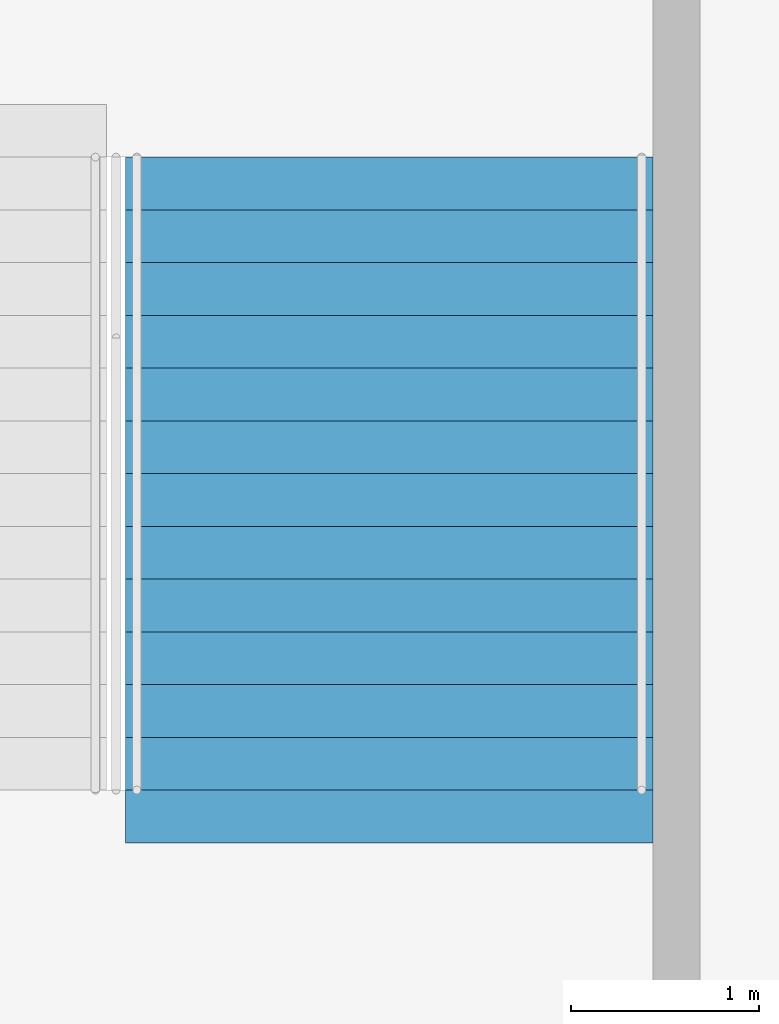
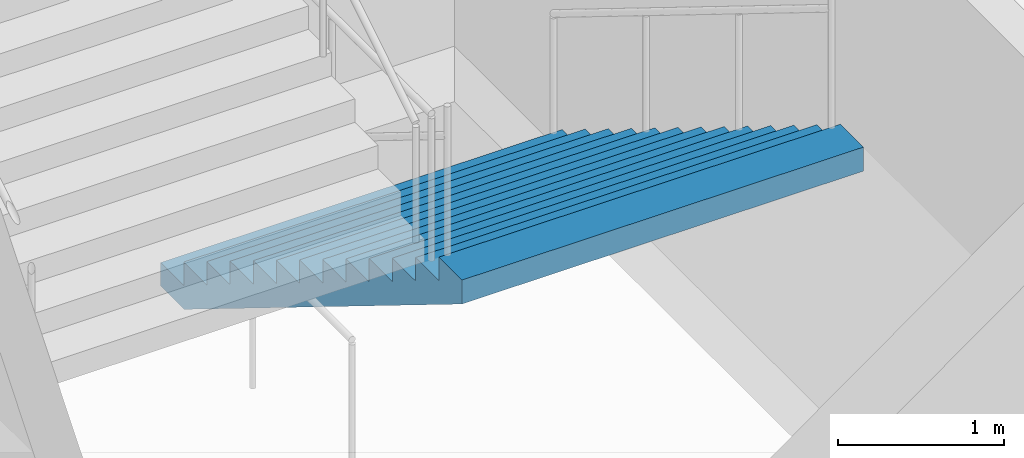
# One storey, part 116 of 199: 1 stair flight, 1 element without a shape of its own.
"""IFC4 building model written with IfcOpenShell, lengths in metres."""

import ifcopenshell
import ifcopenshell.guid

model = None  # the IFC model being written
_history = None  # IfcOwnerHistory: only IFC2X3 demands one
_inside = {}  # id of a spatial element -> (the spatial element, [elements in it])
_under = {}  # id of a project, library or spatial element -> (it, [spatial elements below it])
_declared = {}  # id of a project -> (the project, [libraries it declares])
_typed = {}  # id of a type object -> (the type object, [elements of that type])
_made_of = {}  # id of a material, layer set ... -> (it, [elements and type objects made of it])


def new_model(schema):
    """Start an empty IFC model of exactly this schema.

    Asked for "IFC4X3", IfcOpenShell would pick the latest addendum, in which some entities
    have other attributes; the version numbers below select the first issue.
    IFC2X3 requires an IfcOwnerHistory on every rooted entity: one is made here for all.
    """
    global model, _history
    if schema == "IFC4X3":
        model = ifcopenshell.file(schema_version=(4, 3, 0, 0))
    else:
        model = ifcopenshell.file(schema=schema)
    _inside.clear()
    _under.clear()
    _declared.clear()
    _typed.clear()
    _made_of.clear()
    _history = None
    if model.schema == "IFC2X3":
        org = make("IfcOrganization", Name="unknown")
        user = make(
            "IfcPersonAndOrganization",
            ThePerson=make("IfcPerson", FamilyName="unknown"),
            TheOrganization=org,
        )
        app = make(
            "IfcApplication",
            ApplicationDeveloper=org,
            Version="unknown",
            ApplicationFullName="unknown",
            ApplicationIdentifier="unknown",
        )
        _history = make(
            "IfcOwnerHistory",
            OwningUser=user,
            OwningApplication=app,
            ChangeAction="ADDED",
            CreationDate=0,
        )
    return model


def make(cls, **values):
    """One entity of the class cls with the attributes given. An attribute that is None is left unset."""
    return model.create_entity(
        cls, **{name: value for name, value in values.items() if value is not None}
    )


def rooted(cls, **values):
    """An entity with a GlobalId (a new one), such as an element, a storey or a relation."""
    return make(cls, GlobalId=ifcopenshell.guid.new(), OwnerHistory=_history, **values)


def si_unit(unit_type, name, prefix=None):
    """IfcSIUnit, for example si_unit("LENGTHUNIT", "METRE", prefix="MILLI")."""
    return make("IfcSIUnit", UnitType=unit_type, Prefix=prefix, Name=name)


def assignment(units):
    """IfcUnitAssignment: the units of a project."""
    return None if units is None else make("IfcUnitAssignment", Units=units)


def point(xyz):
    """IfcCartesianPoint."""
    return None if xyz is None else make("IfcCartesianPoint", Coordinates=xyz)


def direction(xyz):
    """IfcDirection."""
    return None if xyz is None else make("IfcDirection", DirectionRatios=xyz)


def frame(location, z_axis=None, x_axis=None):
    """IfcAxis2Placement3D, a coordinate frame: its origin and axes. An axis left out is left unset."""
    return make(
        "IfcAxis2Placement3D",
        Location=point(location),
        Axis=direction(z_axis),
        RefDirection=direction(x_axis),
    )


def origin():
    """The frame at (0, 0, 0) with its axes left unset."""
    return frame((0.0, 0.0, 0.0))


def place(relative_to, where):
    """IfcLocalPlacement: puts the frame where relative to a parent placement (None: the world)."""
    return make(
        "IfcLocalPlacement", PlacementRelTo=relative_to, RelativePlacement=where
    )


def context(
    kind, dimensions, precision=None, world=None, true_north=None, identifier=None
):
    """IfcGeometricRepresentationContext, for example the 3D "Model" context."""
    return make(
        "IfcGeometricRepresentationContext",
        ContextIdentifier=identifier,
        ContextType=kind,
        CoordinateSpaceDimension=dimensions,
        Precision=precision,
        WorldCoordinateSystem=world,
        TrueNorth=true_north,
    )


def subcontext(parent, identifier, kind, view, scale=None):
    """IfcGeometricRepresentationSubContext, for example "Body" below "Model"."""
    return make(
        "IfcGeometricRepresentationSubContext",
        ContextIdentifier=identifier,
        ContextType=kind,
        ParentContext=parent,
        TargetScale=scale,
        TargetView=view,
    )


def project(units=None, contexts=None):
    """IfcProject with its units and contexts."""
    return rooted(
        "IfcProject",
        Name="project",
        RepresentationContexts=contexts,
        UnitsInContext=assignment(units),
    )


def spatial(cls, under=None, at=None, **own):
    """A site, building, storey or space (cls), placed at a placement, below another one or the project."""
    s = rooted(cls, ObjectPlacement=at, **own)
    if under is not None:
        _under.setdefault(under.id(), (under, []))[1].append(s)
    return s


def faces_of(points, faces, orient=None, outer=None):
    """IfcFace entities. A face is a list of loops; a loop is a list of indices into points, from 0.

    orient and outer hold one flag for each loop. By default every Orientation is true, the
    first loop of a face is its IfcFaceOuterBound and the others are IfcFaceBound.
    """
    made = []
    for i, loops in enumerate(faces):
        bounds = []
        for j, loop in enumerate(loops):
            is_outer = j == 0 if outer is None else outer[i][j]
            bounds.append(
                make(
                    "IfcFaceOuterBound" if is_outer else "IfcFaceBound",
                    Bound=make("IfcPolyLoop", Polygon=[points[k] for k in loop]),
                    Orientation=True if orient is None else orient[i][j],
                )
            )
        made.append(make("IfcFace", Bounds=bounds))
    return made


def faceted_brep(points, faces, orient=None, outer=None, voids=None):
    """IfcFacetedBrep: a solid bounded by flat faces; with voids (closed shells), ...WithVoids."""
    shared = [point(p) for p in points]
    hull = make("IfcClosedShell", CfsFaces=faces_of(shared, faces, orient, outer))
    if voids is None:
        return make("IfcFacetedBrep", Outer=hull)
    return make(
        "IfcFacetedBrepWithVoids",
        Outer=hull,
        Voids=[
            make(cls, CfsFaces=faces_of(shared, fs, o, b)) for cls, fs, o, b in voids
        ],
    )


def shape(context_of_items, identifier, shape_type, items):
    """IfcShapeRepresentation: the items that make up one representation, for example the "Body"."""
    return make(
        "IfcShapeRepresentation",
        ContextOfItems=context_of_items,
        RepresentationIdentifier=identifier,
        RepresentationType=shape_type,
        Items=items,
    )


def material(Name=None, Category=None):
    """IfcMaterial."""
    return make("IfcMaterial", Name=Name, Category=Category)


def made_of(thing, what):
    """Note that an element or type object is made of a material, layer set ...; save() writes the relation."""
    if what is not None:
        _made_of.setdefault(what.id(), (what, []))[1].append(thing)
    return thing


def type_object(cls, material=None, **own):
    """A type object (cls), such as IfcWallType, which elements share."""
    return made_of(rooted(cls, **own), material)


def element(
    cls,
    number,
    at=None,
    inside=None,
    cuts=None,
    type_object=None,
    material=None,
    context=None,
    identifier="Body",
    shape_type=None,
    held_by="IfcProductDefinitionShape",
    body=None,
    shapes=None,
    **own,
):
    """One element of the class cls, such as IfcWall. Its Tag is "e" and its number.

    at: its placement. inside: the storey or other place that contains it. cuts: it is an
    opening in that element (IfcRelVoidsElement). A single representation is given by context,
    identifier, shape_type and body (its items); several are given by shapes. held_by: the class
    of the entity that holds the representations. save() writes the other relations.
    """
    e = rooted(cls, Tag="e%d" % number, ObjectPlacement=at, **own)
    if body is not None:
        shapes = [shape(context, identifier, shape_type, body)]
    if shapes is not None:
        e.Representation = make(held_by, Representations=shapes)
    if inside is not None:
        _inside.setdefault(inside.id(), (inside, []))[1].append(e)
    if cuts is not None:
        rooted(
            "IfcRelVoidsElement", RelatingBuildingElement=cuts, RelatedOpeningElement=e
        )
    if type_object is not None:
        _typed.setdefault(type_object.id(), (type_object, []))[1].append(e)
    return made_of(e, material)


def aggregate(whole, parts):
    """IfcRelAggregates: a whole, such as a stair, and the parts it consists of."""
    return rooted("IfcRelAggregates", RelatingObject=whole, RelatedObjects=parts)


def save(model, path):
    """Write the relations noted so far, then the file.

    IfcRelAggregates (storeys below a building ...), IfcRelContainedInSpatialStructure (elements
    in a storey), IfcRelDefinesByType, IfcRelAssociatesMaterial and IfcRelDeclares: one each for
    every whole, place, type object, material and project.
    """
    for whole, parts in _under.values():
        aggregate(whole, parts)
    for where, things in _inside.values():
        rooted(
            "IfcRelContainedInSpatialStructure",
            RelatedElements=things,
            RelatingStructure=where,
        )
    for kind, things in _typed.values():
        rooted("IfcRelDefinesByType", RelatedObjects=things, RelatingType=kind)
    for what, things in _made_of.values():
        rooted("IfcRelAssociatesMaterial", RelatedObjects=things, RelatingMaterial=what)
    for by, libraries in _declared.values():
        rooted("IfcRelDeclares", RelatingContext=by, RelatedDefinitions=libraries)
    model.write(path)


model = new_model("IFC4")

# Units and contexts
model_context = context("Model", 3, precision=1e-05, world=origin(), true_north=direction((0.0, 1.0)))
body_context = subcontext(model_context, "Body", "Model", "MODEL_VIEW")
ifc_project = project(units=[si_unit("LENGTHUNIT", "METRE"), si_unit("AREAUNIT", "SQUARE_METRE"), si_unit("VOLUMEUNIT", "CUBIC_METRE"), si_unit("PLANEANGLEUNIT", "RADIAN"), si_unit("MASSUNIT", "GRAM", prefix="KILO")], contexts=[model_context])

# Site, building, storey
site_placement = place(None, origin())
site = spatial("IfcSite", under=ifc_project, at=site_placement, CompositionType="ELEMENT")
building_placement = place(site_placement, origin())
building = spatial("IfcBuilding", under=site, at=building_placement, Name="Ogive Plaza Stadium", CompositionType="ELEMENT")
storey_placement = place(building_placement, frame((0.0, 0.0, 9.0)))
storey = spatial("IfcBuildingStorey", under=building, at=storey_placement, Name="L02", CompositionType="ELEMENT", Elevation=9.0)

# Stair, stair flight
ifc_material_1 = material(Name="Concrete C40/50", Category="concrete")
stair_type = type_object("IfcStairType", Name="Exit stair", PredefinedType="STRAIGHT_RUN_STAIR", material=ifc_material_1)
stair_placement = place(storey_placement, origin())
stair = element("IfcStair", 1, at=stair_placement, inside=storey, type_object=stair_type, Name="Exit stair ST16B L02 to L03", PredefinedType="STRAIGHT_RUN_STAIR")
ifc_material_2 = material(Name="Concrete C40/50", Category="concrete")
stair_flight_type = type_object("IfcStairFlightType", Name="Exit stair flight", PredefinedType="STRAIGHT", material=ifc_material_2)
stair_flight_placement = place(storey_placement, frame((-15.97509765625, -94.85009765625, 0.0), z_axis=(0.0, 0.0, 1.0), x_axis=(0.0, -1.0, 0.0)))
stair_flight = element("IfcStairFlight", 2, at=stair_flight_placement, type_object=stair_flight_type, Name="ST16B flight 1", NumberOfRisers=13, NumberOfTreads=12, PredefinedType="STRAIGHT", RiserHeight=0.173076923, TreadLength=0.28, context=body_context, shape_type="Brep", body=[
    faceted_brep([(0.28515625, -1.39990234375, 0.0), (3.639892578125, -1.39990234375, 2.07373046875), (3.639892578125, -1.39990234375, 2.25), (3.360107421875, -1.39990234375, 2.25), (3.360107421875, -1.39990234375, 2.076904296875), (3.080078125, -1.39990234375, 2.076904296875), (3.080078125, -1.39990234375, 1.90380859375), (2.800048828125, -1.39990234375, 1.90380859375), (2.800048828125, -1.39990234375, 1.730712890625), (2.52001953125, -1.39990234375, 1.730712890625), (2.52001953125, -1.39990234375, 1.5576171875), (2.239990234375, -1.39990234375, 1.5576171875), (2.239990234375, -1.39990234375, 1.384521484375), (1.9599609375, -1.39990234375, 1.384521484375), (1.9599609375, -1.39990234375, 1.21142578125), (1.679931640625, -1.39990234375, 1.21142578125), (1.679931640625, -1.39990234375, 1.03857421875), (1.39990234375, -1.39990234375, 1.03857421875), (1.39990234375, -1.39990234375, 0.865478515625), (1.1201171875, -1.39990234375, 0.865478515625), (1.1201171875, -1.39990234375, 0.6923828125), (0.840087890625, -1.39990234375, 0.6923828125), (0.840087890625, -1.39990234375, 0.519287109375), (0.56005859375, -1.39990234375, 0.519287109375), (0.56005859375, -1.39990234375, 0.34619140625), (0.280029296875, -1.39990234375, 0.34619140625), (0.280029296875, -1.39990234375, 0.173095703125), (0.0, -1.39990234375, 0.173095703125), (0.0, -1.39990234375, 0.0), (0.0, 1.39990234375, 0.0), (0.0, 1.39990234375, 0.173095703125), (0.280029296875, 1.39990234375, 0.173095703125), (0.280029296875, 1.39990234375, 0.34619140625), (0.56005859375, 1.39990234375, 0.34619140625), (0.56005859375, 1.39990234375, 0.519287109375), (0.840087890625, 1.39990234375, 0.519287109375), (0.840087890625, 1.39990234375, 0.6923828125), (1.1201171875, 1.39990234375, 0.6923828125), (1.1201171875, 1.39990234375, 0.865478515625), (1.39990234375, 1.39990234375, 0.865478515625), (1.39990234375, 1.39990234375, 1.03857421875), (1.679931640625, 1.39990234375, 1.03857421875), (1.679931640625, 1.39990234375, 1.21142578125), (1.9599609375, 1.39990234375, 1.21142578125), (1.9599609375, 1.39990234375, 1.384521484375), (2.239990234375, 1.39990234375, 1.384521484375), (2.239990234375, 1.39990234375, 1.5576171875), (2.52001953125, 1.39990234375, 1.5576171875), (2.52001953125, 1.39990234375, 1.730712890625), (2.800048828125, 1.39990234375, 1.730712890625), (2.800048828125, 1.39990234375, 1.90380859375), (3.080078125, 1.39990234375, 1.90380859375), (3.080078125, 1.39990234375, 2.076904296875), (3.360107421875, 1.39990234375, 2.076904296875), (3.360107421875, 1.39990234375, 2.25), (3.639892578125, 1.39990234375, 2.25), (3.639892578125, 1.39990234375, 2.07373046875), (0.28515625, 1.39990234375, 0.0), (0.28515625, -1.0888671875, 0.0), (3.639892578125, -1.0888671875, 2.07373046875), (0.28515625, -0.77783203125, 0.0), (3.639892578125, -0.77783203125, 2.07373046875), (0.28515625, -0.466796875, 0.0), (3.639892578125, -0.466796875, 2.07373046875), (0.28515625, -0.155517578125, 0.0), (3.639892578125, -0.155517578125, 2.07373046875), (0.28515625, 0.155517578125, 0.0), (3.639892578125, 0.155517578125, 2.07373046875), (0.28515625, 0.466796875, 0.0), (3.639892578125, 0.466796875, 2.07373046875), (0.28515625, 0.77783203125, 0.0), (3.639892578125, 0.77783203125, 2.07373046875), (0.28515625, 1.0888671875, 0.0), (3.639892578125, 1.0888671875, 2.07373046875), (3.639892578125, -1.0888671875, 2.25), (3.639892578125, -0.77783203125, 2.25), (3.639892578125, -0.466796875, 2.25), (3.639892578125, -0.155517578125, 2.25), (3.639892578125, 0.155517578125, 2.25), (3.639892578125, 0.466796875, 2.25), (3.639892578125, 0.77783203125, 2.25), (3.639892578125, 1.0888671875, 2.25), (3.360107421875, -1.0888671875, 2.25), (3.360107421875, -0.77783203125, 2.25), (3.360107421875, -0.466796875, 2.25), (3.360107421875, -0.155517578125, 2.25), (3.360107421875, 0.155517578125, 2.25), (3.360107421875, 0.466796875, 2.25), (3.360107421875, 0.77783203125, 2.25), (3.360107421875, 1.0888671875, 2.25), (3.360107421875, -1.0888671875, 2.076904296875), (3.360107421875, -0.77783203125, 2.076904296875), (3.360107421875, -0.466796875, 2.076904296875), (3.360107421875, -0.155517578125, 2.076904296875), (3.360107421875, 0.155517578125, 2.076904296875), (3.360107421875, 0.466796875, 2.076904296875), (3.360107421875, 0.77783203125, 2.076904296875), (3.360107421875, 1.0888671875, 2.076904296875), (3.080078125, -1.0888671875, 2.076904296875), (3.080078125, -0.77783203125, 2.076904296875), (3.080078125, -0.466796875, 2.076904296875), (3.080078125, -0.155517578125, 2.076904296875), (3.080078125, 0.155517578125, 2.076904296875), (3.080078125, 0.466796875, 2.076904296875), (3.080078125, 0.77783203125, 2.076904296875), (3.080078125, 1.0888671875, 2.076904296875), (3.080078125, -1.0888671875, 1.90380859375), (3.080078125, -0.77783203125, 1.90380859375), (3.080078125, -0.466796875, 1.90380859375), (3.080078125, -0.155517578125, 1.90380859375), (3.080078125, 0.155517578125, 1.90380859375), (3.080078125, 0.466796875, 1.90380859375), (3.080078125, 0.77783203125, 1.90380859375), (3.080078125, 1.0888671875, 1.90380859375), (2.800048828125, -1.0888671875, 1.90380859375), (2.800048828125, -0.77783203125, 1.90380859375), (2.800048828125, -0.466796875, 1.90380859375), (2.800048828125, -0.155517578125, 1.90380859375), (2.800048828125, 0.155517578125, 1.90380859375), (2.800048828125, 0.466796875, 1.90380859375), (2.800048828125, 0.77783203125, 1.90380859375), (2.800048828125, 1.0888671875, 1.90380859375), (2.800048828125, -1.0888671875, 1.730712890625), (2.800048828125, -0.77783203125, 1.730712890625), (2.800048828125, -0.466796875, 1.730712890625), (2.800048828125, -0.155517578125, 1.730712890625), (2.800048828125, 0.155517578125, 1.730712890625), (2.800048828125, 0.466796875, 1.730712890625), (2.800048828125, 0.77783203125, 1.730712890625), (2.800048828125, 1.0888671875, 1.730712890625), (2.52001953125, -1.0888671875, 1.730712890625), (2.52001953125, -0.77783203125, 1.730712890625), (2.52001953125, -0.466796875, 1.730712890625), (2.52001953125, -0.155517578125, 1.730712890625), (2.52001953125, 0.155517578125, 1.730712890625), (2.52001953125, 0.466796875, 1.730712890625), (2.52001953125, 0.77783203125, 1.730712890625), (2.52001953125, 1.0888671875, 1.730712890625), (2.52001953125, -1.0888671875, 1.5576171875), (2.52001953125, -0.77783203125, 1.5576171875), (2.52001953125, -0.466796875, 1.5576171875), (2.52001953125, -0.155517578125, 1.5576171875), (2.52001953125, 0.155517578125, 1.5576171875), (2.52001953125, 0.466796875, 1.5576171875), (2.52001953125, 0.77783203125, 1.5576171875), (2.52001953125, 1.0888671875, 1.5576171875), (2.239990234375, -1.0888671875, 1.5576171875), (2.239990234375, -0.77783203125, 1.5576171875), (2.239990234375, -0.466796875, 1.5576171875), (2.239990234375, -0.155517578125, 1.5576171875), (2.239990234375, 0.155517578125, 1.5576171875), (2.239990234375, 0.466796875, 1.5576171875), (2.239990234375, 0.77783203125, 1.5576171875), (2.239990234375, 1.0888671875, 1.5576171875), (2.239990234375, -1.0888671875, 1.384521484375), (2.239990234375, -0.77783203125, 1.384521484375), (2.239990234375, -0.466796875, 1.384521484375), (2.239990234375, -0.155517578125, 1.384521484375), (2.239990234375, 0.155517578125, 1.384521484375), (2.239990234375, 0.466796875, 1.384521484375), (2.239990234375, 0.77783203125, 1.384521484375), (2.239990234375, 1.0888671875, 1.384521484375), (1.9599609375, -1.0888671875, 1.384521484375), (1.9599609375, -0.77783203125, 1.384521484375), (1.9599609375, -0.466796875, 1.384521484375), (1.9599609375, -0.155517578125, 1.384521484375), (1.9599609375, 0.155517578125, 1.384521484375), (1.9599609375, 0.466796875, 1.384521484375), (1.9599609375, 0.77783203125, 1.384521484375), (1.9599609375, 1.0888671875, 1.384521484375), (1.9599609375, -1.0888671875, 1.21142578125), (1.9599609375, -0.77783203125, 1.21142578125), (1.9599609375, -0.466796875, 1.21142578125), (1.9599609375, -0.155517578125, 1.21142578125), (1.9599609375, 0.155517578125, 1.21142578125), (1.9599609375, 0.466796875, 1.21142578125), (1.9599609375, 0.77783203125, 1.21142578125), (1.9599609375, 1.0888671875, 1.21142578125), (1.679931640625, -1.0888671875, 1.21142578125), (1.679931640625, -0.77783203125, 1.21142578125), (1.679931640625, -0.466796875, 1.21142578125), (1.679931640625, -0.155517578125, 1.21142578125), (1.679931640625, 0.155517578125, 1.21142578125), (1.679931640625, 0.466796875, 1.21142578125), (1.679931640625, 0.77783203125, 1.21142578125), (1.679931640625, 1.0888671875, 1.21142578125), (1.679931640625, -1.0888671875, 1.03857421875), (1.679931640625, -0.77783203125, 1.03857421875), (1.679931640625, -0.466796875, 1.03857421875), (1.679931640625, -0.155517578125, 1.03857421875), (1.679931640625, 0.155517578125, 1.03857421875), (1.679931640625, 0.466796875, 1.03857421875), (1.679931640625, 0.77783203125, 1.03857421875), (1.679931640625, 1.0888671875, 1.03857421875), (1.39990234375, -1.0888671875, 1.03857421875), (1.39990234375, -0.77783203125, 1.03857421875), (1.39990234375, -0.466796875, 1.03857421875), (1.39990234375, -0.155517578125, 1.03857421875), (1.39990234375, 0.155517578125, 1.03857421875), (1.39990234375, 0.466796875, 1.03857421875), (1.39990234375, 0.77783203125, 1.03857421875), (1.39990234375, 1.0888671875, 1.03857421875), (1.39990234375, -1.0888671875, 0.865478515625), (1.39990234375, -0.77783203125, 0.865478515625), (1.39990234375, -0.466796875, 0.865478515625), (1.39990234375, -0.155517578125, 0.865478515625), (1.39990234375, 0.155517578125, 0.865478515625), (1.39990234375, 0.466796875, 0.865478515625), (1.39990234375, 0.77783203125, 0.865478515625), (1.39990234375, 1.0888671875, 0.865478515625), (1.1201171875, -1.0888671875, 0.865478515625), (1.1201171875, -0.77783203125, 0.865478515625), (1.1201171875, -0.466796875, 0.865478515625), (1.1201171875, -0.155517578125, 0.865478515625), (1.1201171875, 0.155517578125, 0.865478515625), (1.1201171875, 0.466796875, 0.865478515625), (1.1201171875, 0.77783203125, 0.865478515625), (1.1201171875, 1.0888671875, 0.865478515625), (1.1201171875, -1.0888671875, 0.6923828125), (1.1201171875, -0.77783203125, 0.6923828125), (1.1201171875, -0.466796875, 0.6923828125), (1.1201171875, -0.155517578125, 0.6923828125), (1.1201171875, 0.155517578125, 0.6923828125), (1.1201171875, 0.466796875, 0.6923828125), (1.1201171875, 0.77783203125, 0.6923828125), (1.1201171875, 1.0888671875, 0.6923828125), (0.840087890625, -1.0888671875, 0.6923828125), (0.840087890625, -0.77783203125, 0.6923828125), (0.840087890625, -0.466796875, 0.6923828125), (0.840087890625, -0.155517578125, 0.6923828125), (0.840087890625, 0.155517578125, 0.6923828125), (0.840087890625, 0.466796875, 0.6923828125), (0.840087890625, 0.77783203125, 0.6923828125), (0.840087890625, 1.0888671875, 0.6923828125), (0.840087890625, -1.0888671875, 0.519287109375), (0.840087890625, -0.77783203125, 0.519287109375), (0.840087890625, -0.466796875, 0.519287109375), (0.840087890625, -0.155517578125, 0.519287109375), (0.840087890625, 0.155517578125, 0.519287109375), (0.840087890625, 0.466796875, 0.519287109375), (0.840087890625, 0.77783203125, 0.519287109375), (0.840087890625, 1.0888671875, 0.519287109375), (0.56005859375, -1.0888671875, 0.519287109375), (0.56005859375, -0.77783203125, 0.519287109375), (0.56005859375, -0.466796875, 0.519287109375), (0.56005859375, -0.155517578125, 0.519287109375), (0.56005859375, 0.155517578125, 0.519287109375), (0.56005859375, 0.466796875, 0.519287109375), (0.56005859375, 0.77783203125, 0.519287109375), (0.56005859375, 1.0888671875, 0.519287109375), (0.56005859375, -1.0888671875, 0.34619140625), (0.56005859375, -0.77783203125, 0.34619140625), (0.56005859375, -0.466796875, 0.34619140625), (0.56005859375, -0.155517578125, 0.34619140625), (0.56005859375, 0.155517578125, 0.34619140625), (0.56005859375, 0.466796875, 0.34619140625), (0.56005859375, 0.77783203125, 0.34619140625), (0.56005859375, 1.0888671875, 0.34619140625), (0.280029296875, -1.0888671875, 0.34619140625), (0.280029296875, -0.77783203125, 0.34619140625), (0.280029296875, -0.466796875, 0.34619140625), (0.280029296875, -0.155517578125, 0.34619140625), (0.280029296875, 0.155517578125, 0.34619140625), (0.280029296875, 0.466796875, 0.34619140625), (0.280029296875, 0.77783203125, 0.34619140625), (0.280029296875, 1.0888671875, 0.34619140625), (0.280029296875, -1.0888671875, 0.173095703125), (0.280029296875, -0.77783203125, 0.173095703125), (0.280029296875, -0.466796875, 0.173095703125), (0.280029296875, -0.155517578125, 0.173095703125), (0.280029296875, 0.155517578125, 0.173095703125), (0.280029296875, 0.466796875, 0.173095703125), (0.280029296875, 0.77783203125, 0.173095703125), (0.280029296875, 1.0888671875, 0.173095703125), (0.0, -1.0888671875, 0.173095703125), (0.0, -0.77783203125, 0.173095703125), (0.0, -0.466796875, 0.173095703125), (0.0, -0.155517578125, 0.173095703125), (0.0, 0.155517578125, 0.173095703125), (0.0, 0.466796875, 0.173095703125), (0.0, 0.77783203125, 0.173095703125), (0.0, 1.0888671875, 0.173095703125), (0.0, -1.0888671875, 0.0), (0.0, -0.77783203125, 0.0), (0.0, -0.466796875, 0.0), (0.0, -0.155517578125, 0.0), (0.0, 0.155517578125, 0.0), (0.0, 0.466796875, 0.0), (0.0, 0.77783203125, 0.0), (0.0, 1.0888671875, 0.0)], [[[0, 1, 2, 3, 4, 5, 6, 7, 8, 9, 10, 11, 12, 13, 14, 15, 16, 17, 18, 19, 20, 21, 22, 23, 24, 25, 26, 27, 28]], [[29, 30, 31, 32, 33, 34, 35, 36, 37, 38, 39, 40, 41, 42, 43, 44, 45, 46, 47, 48, 49, 50, 51, 52, 53, 54, 55, 56, 57]], [[0, 58, 59, 1]], [[58, 60, 61, 59]], [[60, 62, 63, 61]], [[62, 64, 65, 63]], [[64, 66, 67, 65]], [[66, 68, 69, 67]], [[68, 70, 71, 69]], [[70, 72, 73, 71]], [[72, 57, 56, 73]], [[1, 59, 74, 2]], [[59, 61, 75, 74]], [[61, 63, 76, 75]], [[63, 65, 77, 76]], [[65, 67, 78, 77]], [[67, 69, 79, 78]], [[69, 71, 80, 79]], [[71, 73, 81, 80]], [[73, 56, 55, 81]], [[2, 74, 82, 3]], [[74, 75, 83, 82]], [[75, 76, 84, 83]], [[76, 77, 85, 84]], [[77, 78, 86, 85]], [[78, 79, 87, 86]], [[79, 80, 88, 87]], [[80, 81, 89, 88]], [[81, 55, 54, 89]], [[3, 82, 90, 4]], [[82, 83, 91, 90]], [[83, 84, 92, 91]], [[84, 85, 93, 92]], [[85, 86, 94, 93]], [[86, 87, 95, 94]], [[87, 88, 96, 95]], [[88, 89, 97, 96]], [[89, 54, 53, 97]], [[4, 90, 98, 5]], [[90, 91, 99, 98]], [[91, 92, 100, 99]], [[92, 93, 101, 100]], [[93, 94, 102, 101]], [[94, 95, 103, 102]], [[95, 96, 104, 103]], [[96, 97, 105, 104]], [[97, 53, 52, 105]], [[5, 98, 106, 6]], [[98, 99, 107, 106]], [[99, 100, 108, 107]], [[100, 101, 109, 108]], [[101, 102, 110, 109]], [[102, 103, 111, 110]], [[103, 104, 112, 111]], [[104, 105, 113, 112]], [[105, 52, 51, 113]], [[6, 106, 114, 7]], [[106, 107, 115, 114]], [[107, 108, 116, 115]], [[108, 109, 117, 116]], [[109, 110, 118, 117]], [[110, 111, 119, 118]], [[111, 112, 120, 119]], [[112, 113, 121, 120]], [[113, 51, 50, 121]], [[7, 114, 122, 8]], [[114, 115, 123, 122]], [[115, 116, 124, 123]], [[116, 117, 125, 124]], [[117, 118, 126, 125]], [[118, 119, 127, 126]], [[119, 120, 128, 127]], [[120, 121, 129, 128]], [[121, 50, 49, 129]], [[8, 122, 130, 9]], [[122, 123, 131, 130]], [[123, 124, 132, 131]], [[124, 125, 133, 132]], [[125, 126, 134, 133]], [[126, 127, 135, 134]], [[127, 128, 136, 135]], [[128, 129, 137, 136]], [[129, 49, 48, 137]], [[9, 130, 138, 10]], [[130, 131, 139, 138]], [[131, 132, 140, 139]], [[132, 133, 141, 140]], [[133, 134, 142, 141]], [[134, 135, 143, 142]], [[135, 136, 144, 143]], [[136, 137, 145, 144]], [[137, 48, 47, 145]], [[10, 138, 146, 11]], [[138, 139, 147, 146]], [[139, 140, 148, 147]], [[140, 141, 149, 148]], [[141, 142, 150, 149]], [[142, 143, 151, 150]], [[143, 144, 152, 151]], [[144, 145, 153, 152]], [[145, 47, 46, 153]], [[11, 146, 154, 12]], [[146, 147, 155, 154]], [[147, 148, 156, 155]], [[148, 149, 157, 156]], [[149, 150, 158, 157]], [[150, 151, 159, 158]], [[151, 152, 160, 159]], [[152, 153, 161, 160]], [[153, 46, 45, 161]], [[12, 154, 162, 13]], [[154, 155, 163, 162]], [[155, 156, 164, 163]], [[156, 157, 165, 164]], [[157, 158, 166, 165]], [[158, 159, 167, 166]], [[159, 160, 168, 167]], [[160, 161, 169, 168]], [[161, 45, 44, 169]], [[13, 162, 170, 14]], [[162, 163, 171, 170]], [[163, 164, 172, 171]], [[164, 165, 173, 172]], [[165, 166, 174, 173]], [[166, 167, 175, 174]], [[167, 168, 176, 175]], [[168, 169, 177, 176]], [[169, 44, 43, 177]], [[14, 170, 178, 15]], [[170, 171, 179, 178]], [[171, 172, 180, 179]], [[172, 173, 181, 180]], [[173, 174, 182, 181]], [[174, 175, 183, 182]], [[175, 176, 184, 183]], [[176, 177, 185, 184]], [[177, 43, 42, 185]], [[15, 178, 186, 16]], [[178, 179, 187, 186]], [[179, 180, 188, 187]], [[180, 181, 189, 188]], [[181, 182, 190, 189]], [[182, 183, 191, 190]], [[183, 184, 192, 191]], [[184, 185, 193, 192]], [[185, 42, 41, 193]], [[16, 186, 194, 17]], [[186, 187, 195, 194]], [[187, 188, 196, 195]], [[188, 189, 197, 196]], [[189, 190, 198, 197]], [[190, 191, 199, 198]], [[191, 192, 200, 199]], [[192, 193, 201, 200]], [[193, 41, 40, 201]], [[17, 194, 202, 18]], [[194, 195, 203, 202]], [[195, 196, 204, 203]], [[196, 197, 205, 204]], [[197, 198, 206, 205]], [[198, 199, 207, 206]], [[199, 200, 208, 207]], [[200, 201, 209, 208]], [[201, 40, 39, 209]], [[18, 202, 210, 19]], [[202, 203, 211, 210]], [[203, 204, 212, 211]], [[204, 205, 213, 212]], [[205, 206, 214, 213]], [[206, 207, 215, 214]], [[207, 208, 216, 215]], [[208, 209, 217, 216]], [[209, 39, 38, 217]], [[19, 210, 218, 20]], [[210, 211, 219, 218]], [[211, 212, 220, 219]], [[212, 213, 221, 220]], [[213, 214, 222, 221]], [[214, 215, 223, 222]], [[215, 216, 224, 223]], [[216, 217, 225, 224]], [[217, 38, 37, 225]], [[20, 218, 226, 21]], [[218, 219, 227, 226]], [[219, 220, 228, 227]], [[220, 221, 229, 228]], [[221, 222, 230, 229]], [[222, 223, 231, 230]], [[223, 224, 232, 231]], [[224, 225, 233, 232]], [[225, 37, 36, 233]], [[21, 226, 234, 22]], [[226, 227, 235, 234]], [[227, 228, 236, 235]], [[228, 229, 237, 236]], [[229, 230, 238, 237]], [[230, 231, 239, 238]], [[231, 232, 240, 239]], [[232, 233, 241, 240]], [[233, 36, 35, 241]], [[22, 234, 242, 23]], [[234, 235, 243, 242]], [[235, 236, 244, 243]], [[236, 237, 245, 244]], [[237, 238, 246, 245]], [[238, 239, 247, 246]], [[239, 240, 248, 247]], [[240, 241, 249, 248]], [[241, 35, 34, 249]], [[23, 242, 250, 24]], [[242, 243, 251, 250]], [[243, 244, 252, 251]], [[244, 245, 253, 252]], [[245, 246, 254, 253]], [[246, 247, 255, 254]], [[247, 248, 256, 255]], [[248, 249, 257, 256]], [[249, 34, 33, 257]], [[24, 250, 258, 25]], [[250, 251, 259, 258]], [[251, 252, 260, 259]], [[252, 253, 261, 260]], [[253, 254, 262, 261]], [[254, 255, 263, 262]], [[255, 256, 264, 263]], [[256, 257, 265, 264]], [[257, 33, 32, 265]], [[25, 258, 266, 26]], [[258, 259, 267, 266]], [[259, 260, 268, 267]], [[260, 261, 269, 268]], [[261, 262, 270, 269]], [[262, 263, 271, 270]], [[263, 264, 272, 271]], [[264, 265, 273, 272]], [[265, 32, 31, 273]], [[26, 266, 274, 27]], [[266, 267, 275, 274]], [[267, 268, 276, 275]], [[268, 269, 277, 276]], [[269, 270, 278, 277]], [[270, 271, 279, 278]], [[271, 272, 280, 279]], [[272, 273, 281, 280]], [[273, 31, 30, 281]], [[27, 274, 282, 28]], [[274, 275, 283, 282]], [[275, 276, 284, 283]], [[276, 277, 285, 284]], [[277, 278, 286, 285]], [[278, 279, 287, 286]], [[279, 280, 288, 287]], [[280, 281, 289, 288]], [[281, 30, 29, 289]], [[28, 282, 58, 0]], [[282, 283, 60, 58]], [[283, 284, 62, 60]], [[284, 285, 64, 62]], [[285, 286, 66, 64]], [[286, 287, 68, 66]], [[287, 288, 70, 68]], [[288, 289, 72, 70]], [[289, 29, 57, 72]]]),
])
aggregate(stair, [stair_flight])

save(model, "model.ifc")
